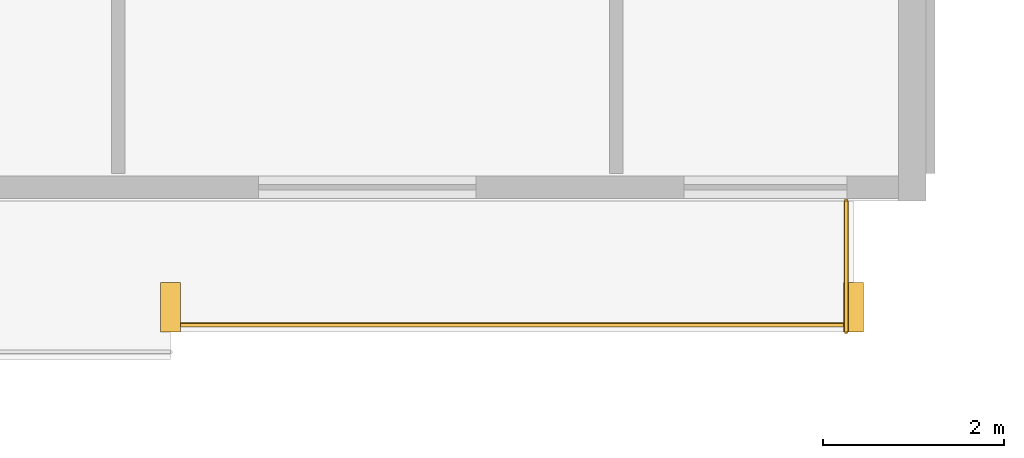
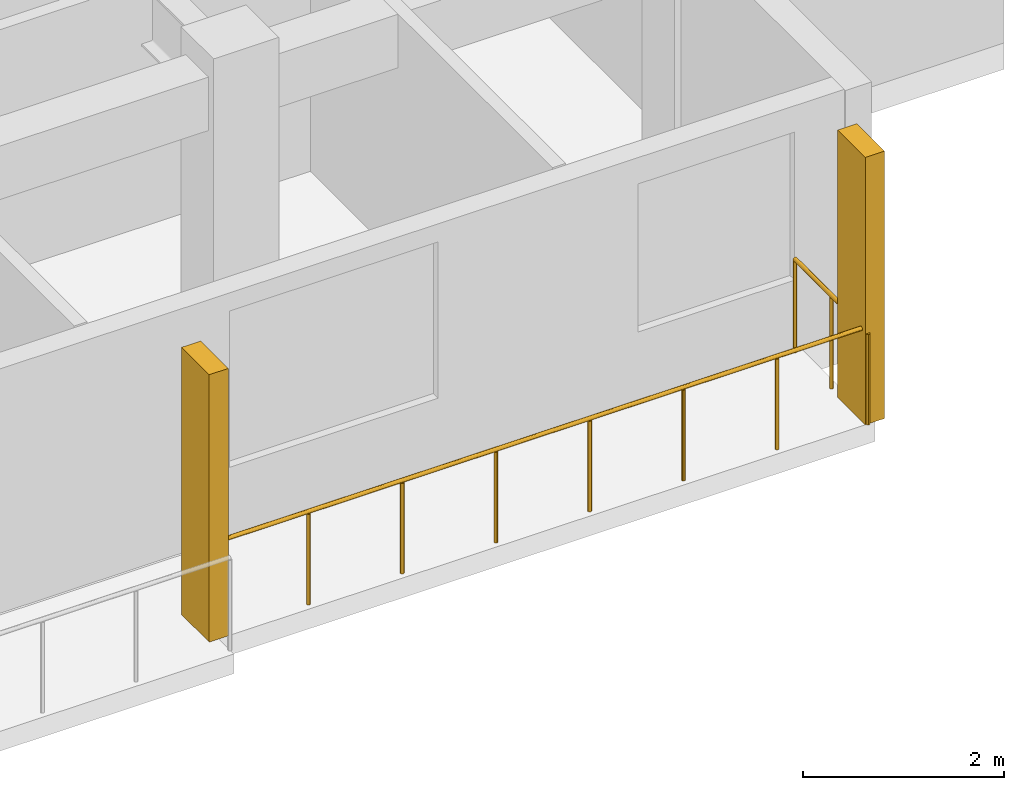
# One storey, part 21 of 23: 2 railings, 2 shading devices.
"""IFC4 building model written with IfcOpenShell, lengths in metres."""

from ifc_helpers import new_model, si_unit, direction, frame, origin, origin_2d, place, context, subcontext, project, spatial, rectangle, circle, extrude, material, type_object, element, save


model = new_model("IFC4")

# Units and contexts
model_context = context("Model", 3, precision=1e-05, world=origin(), true_north=direction((0.0, 1.0)))
body_context = subcontext(model_context, "Body", "Model", "MODEL_VIEW")
ifc_project = project(units=[si_unit("LENGTHUNIT", "METRE"), si_unit("AREAUNIT", "SQUARE_METRE"), si_unit("VOLUMEUNIT", "CUBIC_METRE"), si_unit("PLANEANGLEUNIT", "RADIAN"), si_unit("MASSUNIT", "GRAM", prefix="KILO")], contexts=[model_context])

# Site, building, storey
site_placement = place(None, origin())
site = spatial("IfcSite", under=ifc_project, at=site_placement, CompositionType="ELEMENT")
building_placement = place(site_placement, origin())
building = spatial("IfcBuilding", under=site, at=building_placement, Name="Korimba Cascade Residences", CompositionType="ELEMENT")
storey_placement = place(building_placement, frame((0.0, 0.0, 162.10009765625)))
storey = spatial("IfcBuildingStorey", under=building, at=storey_placement, Name="L46", CompositionType="ELEMENT", Elevation=162.10009765625)

# Railings
ifc_material_1 = material(Name="Laminated Glass and Bronze Balustrade", Category="glass")
railing_type = type_object("IfcRailingType", Name="RLG-LOG-1150", PredefinedType="BALUSTRADE", material=ifc_material_1)
railing_1_placement = place(storey_placement, frame((120.55712890625, -9.169921875, 0.0)))
element("IfcRailing", 1, at=railing_1_placement, inside=storey, type_object=railing_type, Name="L46 Perimeter Guardrail RLG-L46-T2-LOG-07", PredefinedType="BALUSTRADE", context=body_context, shape_type="SweptSolid", body=[
    extrude(circle(Radius=0.02392578125, at=origin_2d()), frame((0.0, 0.0, 1.1259765625), z_axis=(1.0, 0.0, 0.0), x_axis=(0.0, 1.0, 0.0)), (0.0, 0.0, 1.0), 7.54296875),
    extrude(circle(Radius=0.02099609375, at=origin_2d()), origin(), (0.0, 0.0, 1.0), 1.101806640625),
    extrude(circle(Radius=0.02099609375, at=origin_2d()), frame((1.07763671875, 0.0, 0.0)), (0.0, 0.0, 1.0), 1.101806640625),
    extrude(circle(Radius=0.02099609375, at=origin_2d()), frame((2.155029296875, 0.0, 0.0)), (0.0, 0.0, 1.0), 1.101806640625),
    extrude(circle(Radius=0.02099609375, at=origin_2d()), frame((3.232666015625, 0.0, 0.0)), (0.0, 0.0, 1.0), 1.101806640625),
    extrude(circle(Radius=0.02099609375, at=origin_2d()), frame((4.310302734375, 0.0, 0.0)), (0.0, 0.0, 1.0), 1.101806640625),
    extrude(circle(Radius=0.02099609375, at=origin_2d()), frame((5.387939453125, 0.0, 0.0)), (0.0, 0.0, 1.0), 1.101806640625),
    extrude(circle(Radius=0.02099609375, at=origin_2d()), frame((6.46533203125, 0.0, 0.0)), (0.0, 0.0, 1.0), 1.101806640625),
    extrude(circle(Radius=0.02099609375, at=origin_2d()), frame((7.54296875, 0.0, 0.0)), (0.0, 0.0, 1.0), 1.101806640625),
])
railing_2_placement = place(storey_placement, frame((128.02001953125, -9.25, 0.0)))
element("IfcRailing", 2, at=railing_2_placement, inside=storey, type_object=railing_type, Name="L46 Perimeter Guardrail RLG-L46-T2-LOG-08", PredefinedType="BALUSTRADE", context=body_context, shape_type="SweptSolid", body=[
    extrude(circle(Radius=0.02392578125, at=origin_2d()), frame((0.0, 0.0, 1.1259765625), z_axis=(0.0, 1.0, 0.0), x_axis=(-1.0, 0.0, 0.0)), (0.0, 0.0, 1.0), 1.449951171875),
    extrude(circle(Radius=0.02099609375, at=origin_2d()), origin(), (0.0, 0.0, 1.0), 1.101806640625),
    extrude(circle(Radius=0.02099609375, at=origin_2d()), frame((0.0, 0.72509765625, 0.0)), (0.0, 0.0, 1.0), 1.101806640625),
    extrude(circle(Radius=0.02099609375, at=origin_2d()), frame((0.0, 1.449951171875, 0.0)), (0.0, 0.0, 1.0), 1.101806640625),
])

# Shading devices
ifc_material_2 = material(Name="Honed Sandstone Precast Fin", Category="masonry")
shading_device_type = type_object("IfcShadingDeviceType", Name="SHD-FIN-550", PredefinedType="USERDEFINED", material=ifc_material_2)
for number, where, z_axis, x_axis, name in (
    (3, (120.55712890625, -8.97509765625, 0.0), (0.0, 0.0, 1.0), (1.0, 0.0, 0.0), "L46 T2 Warm-Stone Loggia Fin 7"),
    (4, (128.10009765625, -8.97509765625, 0.0), (0.0, 0.0, 1.0), (1.0, 0.0, 0.0), "L46 T2 Warm-Stone Loggia Fin 8"),
):
    element("IfcShadingDevice", number, at=place(storey_placement, frame(where, z_axis=z_axis, x_axis=x_axis)), inside=storey, type_object=shading_device_type, Name=name, ObjectType="FIN", PredefinedType="USERDEFINED", context=body_context, shape_type="SweptSolid", body=[
        extrude(rectangle(XDim=0.219970703125, YDim=0.550048828125, at=origin_2d()), origin(), (0.0, 0.0, 1.0), 3.25),
    ])

save(model, "model.ifc")
